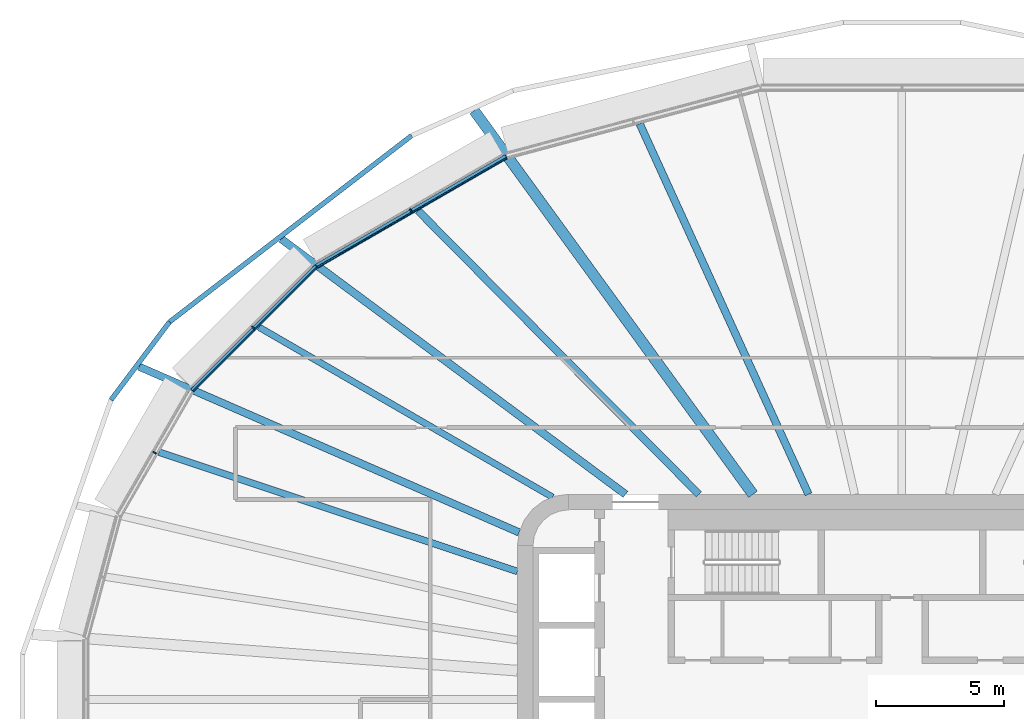
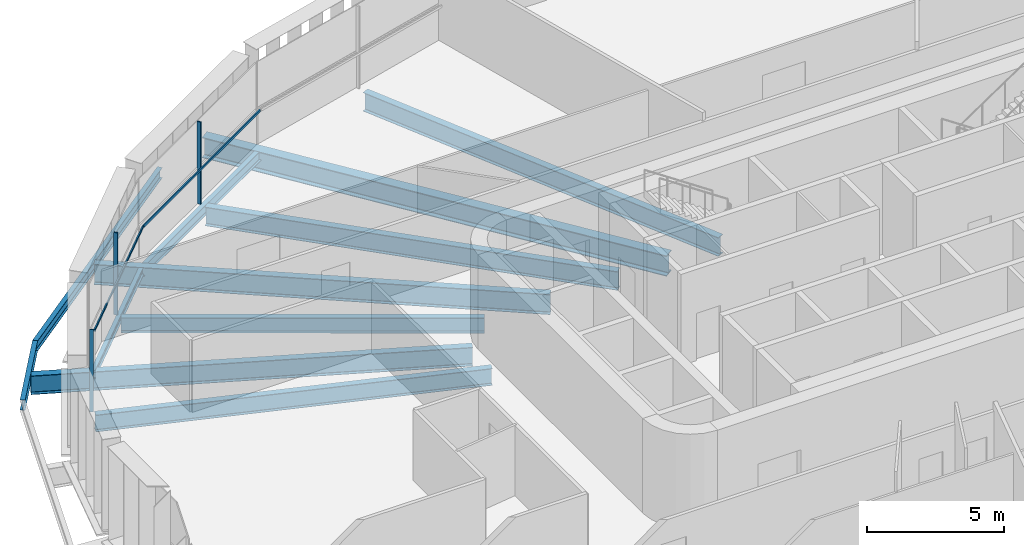
# One storey, part 7 of 25: 11 beams, 5 members, 3 elements without a shape of their own.
"""IFC4 building model written with IfcOpenShell, lengths in metres."""

from ifc_helpers import new_model, si_unit, direction, frame, origin, origin_2d, place, context, subcontext, project, spatial, rectangle, i_section, extrude, material, layer, layer_set, material_profile, profile_set, type_object, element, aggregate, save


model = new_model("IFC4")

# Units and contexts
model_context = context("Model", 3, precision=1e-05, world=origin(), true_north=direction((0.0, 1.0)))
body_context = subcontext(model_context, "Body", "Model", "MODEL_VIEW")
ifc_project = project(units=[si_unit("LENGTHUNIT", "METRE"), si_unit("AREAUNIT", "SQUARE_METRE"), si_unit("VOLUMEUNIT", "CUBIC_METRE"), si_unit("PLANEANGLEUNIT", "RADIAN"), si_unit("MASSUNIT", "GRAM", prefix="KILO")], contexts=[model_context])

# Site, building, storey
site_placement = place(None, origin())
site = spatial("IfcSite", under=ifc_project, at=site_placement, CompositionType="ELEMENT")
building_placement = place(site_placement, origin())
building = spatial("IfcBuilding", under=site, at=building_placement, Name="Sahrelin Media Tower", CompositionType="ELEMENT")
storey_placement = place(building_placement, frame((0.0, 0.0, 110.39990234375)))
storey = spatial("IfcBuildingStorey", under=building, at=storey_placement, Name="L21", CompositionType="ELEMENT", Elevation=110.39990234375)

# Beams
ifc_material_1 = material(Name="Steel S355", Category="steel")
ifc_material_profile_1 = material_profile(ifc_material_1, i_section(OverallWidth=0.17138671875, OverallDepth=0.35498046875, WebThickness=0.00732421875, FlangeThickness=0.011474609375, FilletRadius=0.01025390625, at=origin_2d()), Name="UB 356x171x51")
ifc_profile_set_1 = profile_set([ifc_material_profile_1], Name="Steel S355")
beam_type_1 = type_object("IfcBeamType", Name="Edge beam EB3", PredefinedType="BEAM", material=ifc_profile_set_1)
beam_1_placement = place(storey_placement, frame((-27.68115234375, 12.048583984375, -0.327392578125), z_axis=(0.707124646667, 0.707088915255, 0.0), x_axis=(-0.707088915255, 0.707124646667, 0.0)))
element("IfcBeam", 1, at=beam_1_placement, inside=storey, type_object=beam_type_1, Name="Edge beam L21-16", PredefinedType="BEAM", context=body_context, shape_type="SweptSolid", body=[
    extrude(i_section(OverallWidth=0.17138671875, OverallDepth=0.35498046875, WebThickness=0.00732421875, FlangeThickness=0.011474609375, FilletRadius=0.01025390625, at=origin_2d()), origin(), (0.0, 0.0, 1.0), 6.832763671875),
])
ifc_material_profile_2 = material_profile(ifc_material_1, i_section(OverallWidth=0.1904296875, OverallDepth=0.45703125, WebThickness=0.009033203125, FlangeThickness=0.014404296875, FilletRadius=0.01025390625, at=origin_2d()), Name="UB 457x191x74")
ifc_profile_set_2 = profile_set([ifc_material_profile_2], Name="Steel S355")
beam_type_2 = type_object("IfcBeamType", Name="Edge beam EB5", PredefinedType="BEAM", material=ifc_profile_set_2)
beam_2_placement = place(storey_placement, frame((-22.82666015625, 16.8974609375, -0.37841796875), z_axis=(0.866017364183, 0.500013924739, 0.0), x_axis=(-0.500013924739, 0.866017364183, 0.0)))
element("IfcBeam", 2, at=beam_2_placement, inside=storey, type_object=beam_type_2, Name="Edge beam L21-17", PredefinedType="BEAM", context=body_context, shape_type="SweptSolid", body=[
    extrude(i_section(OverallWidth=0.1904296875, OverallDepth=0.45703125, WebThickness=0.009033203125, FlangeThickness=0.014404296875, FilletRadius=0.01025390625, at=origin_2d()), origin(), (0.0, 0.0, 1.0), 8.531494140625),
])

# Curtain wall, member
ifc_material_2 = material(Name="Champagne anodised aluminium 6063-T6", Category="aluminium")
ifc_layer = layer(ifc_material_2, 0.14990234375)
ifc_layer_set = layer_set([ifc_layer], Name="Tower ribbon curtain wall")
curtain_wall_type = type_object("IfcCurtainWallType", Name="Tower ribbon curtain wall", PredefinedType="NOTDEFINED", material=ifc_layer_set)
curtain_wall_1_placement = place(storey_placement, frame((-19.20751953125, 19.160400390625, 0.0), z_axis=(0.0, 0.0, 1.0), x_axis=(1.0, 0.0, 0.0)))
curtain_wall_1 = element("IfcCurtainWall", 3, at=curtain_wall_1_placement, inside=storey, type_object=curtain_wall_type, Name="L21:CW:L21-08", PredefinedType="NOTDEFINED")
ifc_material_profile_3 = material_profile(ifc_material_2, rectangle(XDim=0.06005859375, YDim=0.14990234375, at=origin_2d()), Name="Mullion 60x150")
ifc_profile_set_3 = profile_set([ifc_material_profile_3], Name="Champagne anodised aluminium 6063-T6")
member_type_1 = type_object("IfcMemberType", Name="Mullion 60x150 CW1", PredefinedType="MULLION", material=ifc_profile_set_3)
member_1_placement = place(storey_placement, frame((-19.159912109375, 19.077880859375, 0.0), z_axis=(0.0, 0.0, 1.0), x_axis=(-0.866024531118, -0.500001511499, 0.0)))
member_1 = element("IfcMember", 4, at=member_1_placement, type_object=member_type_1, Name="L21:CWM:L21-08", PredefinedType="MULLION", context=body_context, shape_type="SweptSolid", body=[
    extrude(rectangle(XDim=0.06005859375, YDim=0.14990234375, at=origin_2d()), origin(), (0.0, 0.0, 1.0), 3.648681640625),
])

curtain_wall_2_placement = place(storey_placement, frame((-25.371337890625, 14.5703125, 0.0), z_axis=(0.0, 0.0, 1.0), x_axis=(1.0, 0.0, 0.0)))
curtain_wall_2 = element("IfcCurtainWall", 5, at=curtain_wall_2_placement, inside=storey, type_object=curtain_wall_type, Name="L21:CW:L21-09", PredefinedType="NOTDEFINED")
member_2_placement = place(storey_placement, frame((-25.30419921875, 14.503173828125, 0.0), z_axis=(0.0, 0.0, 1.0), x_axis=(-0.707106781187, -0.707106781187, 0.0)))
member_2 = element("IfcMember", 6, at=member_2_placement, type_object=member_type_1, Name="L21:CWM:L21-09", PredefinedType="MULLION", context=body_context, shape_type="SweptSolid", body=[
    extrude(rectangle(XDim=0.06005859375, YDim=0.14990234375, at=origin_2d()), origin(), (0.0, 0.0, 1.0), 3.648681640625),
])

curtain_wall_3_placement = place(storey_placement, frame((-29.231689453125, 9.67041015625, 0.0), z_axis=(0.0, 0.0, 1.0), x_axis=(1.0, 0.0, 0.0)))
curtain_wall_3 = element("IfcCurtainWall", 7, at=curtain_wall_3_placement, inside=storey, type_object=curtain_wall_type, Name="L21:CW:L21-10", PredefinedType="NOTDEFINED")
member_3_placement = place(storey_placement, frame((-29.1494140625, 9.622802734375, 0.0), z_axis=(0.0, 0.0, 1.0), x_axis=(-0.500004534492, -0.866022785779, 0.0)))
member_3 = element("IfcMember", 8, at=member_3_placement, type_object=member_type_1, Name="L21:CWM:L21-10", PredefinedType="MULLION", context=body_context, shape_type="SweptSolid", body=[
    extrude(rectangle(XDim=0.06005859375, YDim=0.14990234375, at=origin_2d()), origin(), (0.0, 0.0, 1.0), 3.648681640625),
])
aggregate(curtain_wall_3, [member_3])

# Beams
ifc_material_profile_4 = material_profile(ifc_material_1, i_section(OverallWidth=0.291748046875, OverallDepth=0.8349609375, WebThickness=0.013916015625, FlangeThickness=0.018798828125, FilletRadius=0.017822265625, at=origin_2d()), Name="UB 838x292x176")
ifc_profile_set_4 = profile_set([ifc_material_profile_4], Name="Steel S355")
beam_type_3 = type_object("IfcBeamType", Name="Radial primary beam PB10", PredefinedType="BEAM", material=ifc_profile_set_4)
beam_3_placement = place(storey_placement, frame((-14.9326171875, 6.512939453125, -0.5673828125), z_axis=(-0.91660394376, 0.39979646107, 0.0), x_axis=(-0.39979646107, -0.91660394376, 0.0)))
element("IfcBeam", 9, at=beam_3_placement, inside=storey, type_object=beam_type_3, Name="Radial beam L21-10", PredefinedType="BEAM", context=body_context, shape_type="SweptSolid", body=[
    extrude(i_section(OverallWidth=0.291748046875, OverallDepth=0.8349609375, WebThickness=0.013916015625, FlangeThickness=0.018798828125, FilletRadius=0.017822265625, at=origin_2d()), origin(), (0.0, 0.0, 1.0), 16.176513671875),
])
ifc_material_profile_5 = material_profile(ifc_material_1, i_section(OverallWidth=0.30322265625, OverallDepth=0.903076171875, WebThickness=0.01513671875, FlangeThickness=0.020263671875, FilletRadius=0.01904296875, at=origin_2d()), Name="UB 914x305x201")
ifc_profile_set_5 = profile_set([ifc_material_profile_5], Name="Steel S355")
beam_type_4 = type_object("IfcBeamType", Name="Radial primary beam PB11", PredefinedType="BEAM", material=ifc_profile_set_5)
beam_4_placement = place(storey_placement, frame((-10.78466796875, 8.0, -0.601318359375), z_axis=(-0.803152128679, 0.595773999263, 0.0), x_axis=(-0.595773999263, -0.803152128679, 0.0)))
element("IfcBeam", 10, at=beam_4_placement, inside=storey, type_object=beam_type_4, Name="Radial beam L21-09", PredefinedType="BEAM", context=body_context, shape_type="SweptSolid", body=[
    extrude(i_section(OverallWidth=0.30322265625, OverallDepth=0.903076171875, WebThickness=0.01513671875, FlangeThickness=0.020263671875, FilletRadius=0.01904296875, at=origin_2d()), origin(), (0.0, 0.0, 1.0), 16.71728515625),
])
ifc_material_profile_6 = material_profile(ifc_material_1, i_section(OverallWidth=0.41845703125, OverallDepth=0.911865234375, WebThickness=0.019287109375, FlangeThickness=0.031982421875, FilletRadius=0.024169921875, at=origin_2d()), Name="UB 914x419x343")
ifc_profile_set_6 = profile_set([ifc_material_profile_6], Name="Steel S355")
beam_type_5 = type_object("IfcBeamType", Name="Radial primary beam PB12", PredefinedType="BEAM", material=ifc_profile_set_6)
beam_5_placement = place(storey_placement, frame((-5.8125, 8.0, -0.605712890625), z_axis=(-0.587808442144, 0.809000145454, 0.0), x_axis=(-0.809000145454, -0.587808442144, 0.0)))
element("IfcBeam", 11, at=beam_5_placement, inside=storey, type_object=beam_type_5, Name="Radial beam L21-08", PredefinedType="BEAM", context=body_context, shape_type="SweptSolid", body=[
    extrude(i_section(OverallWidth=0.41845703125, OverallDepth=0.911865234375, WebThickness=0.019287109375, FlangeThickness=0.031982421875, FilletRadius=0.024169921875, at=origin_2d()), origin(), (0.0, 0.0, 1.0), 18.505615234375),
])
ifc_material_profile_7 = material_profile(ifc_material_1, i_section(OverallWidth=0.291748046875, OverallDepth=0.8349609375, WebThickness=0.013916015625, FlangeThickness=0.018798828125, FilletRadius=0.017822265625, at=origin_2d()), Name="UB 838x292x176")
ifc_profile_set_7 = profile_set([ifc_material_profile_7], Name="Steel S355")
beam_type_6 = type_object("IfcBeamType", Name="Radial secondary beam SB10", PredefinedType="BEAM", material=ifc_profile_set_7)
beam_6_placement = place(storey_placement, frame((-3.64501953125, 8.0, -0.5673828125), z_axis=(-0.414626132753, 0.909991851633, 0.0), x_axis=(-0.909991851633, -0.414626132753, 0.0)))
element("IfcBeam", 12, at=beam_6_placement, inside=storey, type_object=beam_type_6, Name="Secondary beam L21-07", PredefinedType="BEAM", context=body_context, shape_type="SweptSolid", body=[
    extrude(i_section(OverallWidth=0.291748046875, OverallDepth=0.8349609375, WebThickness=0.013916015625, FlangeThickness=0.018798828125, FilletRadius=0.017822265625, at=origin_2d()), origin(), (0.0, 0.0, 1.0), 15.884033203125),
])
beam_7_placement = place(storey_placement, frame((-7.92138671875, 8.0, -0.5673828125), z_axis=(-0.703602310212, 0.7105939692, 0.0), x_axis=(-0.7105939692, -0.703602310212, 0.0)))
element("IfcBeam", 13, at=beam_7_placement, inside=storey, type_object=beam_type_6, Name="Secondary beam L21-08", PredefinedType="BEAM", context=body_context, shape_type="SweptSolid", body=[
    extrude(i_section(OverallWidth=0.291748046875, OverallDepth=0.8349609375, WebThickness=0.013916015625, FlangeThickness=0.018798828125, FilletRadius=0.017822265625, at=origin_2d()), origin(), (0.0, 0.0, 1.0), 15.57373046875),
])
ifc_material_profile_8 = material_profile(ifc_material_1, i_section(OverallWidth=0.2529296875, OverallDepth=0.677978515625, WebThickness=0.01171875, FlangeThickness=0.01611328125, FilletRadius=0.01513671875, at=origin_2d()), Name="UB 686x254x125")
ifc_profile_set_8 = profile_set([ifc_material_profile_8], Name="Steel S355")
beam_type_7 = type_object("IfcBeamType", Name="Radial secondary beam SB8", PredefinedType="BEAM", material=ifc_profile_set_8)
beam_8_placement = place(storey_placement, frame((-13.625, 7.887451171875, -0.48876953125), z_axis=(-0.865447741605, 0.500999208134, 0.0), x_axis=(-0.500999208134, -0.865447741605, 0.0)))
element("IfcBeam", 14, at=beam_8_placement, inside=storey, type_object=beam_type_7, Name="Secondary beam L21-09", PredefinedType="BEAM", context=body_context, shape_type="SweptSolid", body=[
    extrude(i_section(OverallWidth=0.2529296875, OverallDepth=0.677978515625, WebThickness=0.01171875, FlangeThickness=0.01611328125, FilletRadius=0.01513671875, at=origin_2d()), origin(), (0.0, 0.0, 1.0), 13.2431640625),
])
ifc_material_profile_9 = material_profile(ifc_material_1, i_section(OverallWidth=0.26513671875, OverallDepth=0.75390625, WebThickness=0.0126953125, FlangeThickness=0.017578125, FilletRadius=0.0166015625, at=origin_2d()), Name="UB 762x267x147")
ifc_profile_set_9 = profile_set([ifc_material_profile_9], Name="Steel S355")
beam_type_8 = type_object("IfcBeamType", Name="Radial secondary beam SB9", PredefinedType="BEAM", material=ifc_profile_set_9)
beam_9_placement = place(storey_placement, frame((-15.0, 4.989990234375, -0.52685546875), z_axis=(-0.948863762476, 0.31568585692, 0.0), x_axis=(-0.31568585692, -0.948863762476, 0.0)))
element("IfcBeam", 15, at=beam_9_placement, inside=storey, type_object=beam_type_8, Name="Secondary beam L21-10", PredefinedType="BEAM", context=body_context, shape_type="SweptSolid", body=[
    extrude(i_section(OverallWidth=0.26513671875, OverallDepth=0.75390625, WebThickness=0.0126953125, FlangeThickness=0.017578125, FilletRadius=0.0166015625, at=origin_2d()), origin(), (0.0, 0.0, 1.0), 14.7333984375),
])
ifc_material_profile_10 = material_profile(ifc_material_1, i_section(OverallWidth=0.1904296875, OverallDepth=0.45703125, WebThickness=0.009033203125, FlangeThickness=0.014404296875, FilletRadius=0.01025390625, at=origin_2d()), Name="UB 457x191x74")
ifc_profile_set_10 = profile_set([ifc_material_profile_10], Name="Steel S355")
beam_type_9 = type_object("IfcBeamType", Name="Tie chord TC5", PredefinedType="BEAM", material=ifc_profile_set_10)
beam_10_placement = place(storey_placement, frame((-19.12939453125, 21.9912109375, -0.37841796875), z_axis=(-0.792450278181, -0.60993651851, 0.0), x_axis=(0.60993651851, -0.792450278181, 0.0)))
element("IfcBeam", 16, at=beam_10_placement, inside=storey, type_object=beam_type_9, Name="Tie chord L21-09", PredefinedType="BEAM", context=body_context, shape_type="SweptSolid", body=[
    extrude(i_section(OverallWidth=0.1904296875, OverallDepth=0.45703125, WebThickness=0.009033203125, FlangeThickness=0.014404296875, FilletRadius=0.01025390625, at=origin_2d()), origin(), (0.0, 0.0, 1.0), 11.91455078125),
])
beam_11_placement = place(storey_placement, frame((-28.571044921875, 14.72412109375, -0.37841796875), z_axis=(-0.600051373024, -0.799961467654, 0.0), x_axis=(0.799961467654, -0.600051373024, 0.0)))
element("IfcBeam", 17, at=beam_11_placement, inside=storey, type_object=beam_type_9, Name="Tie chord L21-10", PredefinedType="BEAM", context=body_context, shape_type="SweptSolid", body=[
    extrude(i_section(OverallWidth=0.1904296875, OverallDepth=0.45703125, WebThickness=0.009033203125, FlangeThickness=0.014404296875, FilletRadius=0.01025390625, at=origin_2d()), origin(), (0.0, 0.0, 1.0), 3.8017578125),
])

# Member
ifc_material_profile_11 = material_profile(ifc_material_2, rectangle(XDim=0.050048828125, YDim=0.10009765625, at=origin_2d()), Name="Transom 50x100")
ifc_profile_set_11 = profile_set([ifc_material_profile_11], Name="Champagne anodised aluminium 6063-T6")
member_type_2 = type_object("IfcMemberType", Name="Transom 50x100 CW1", PredefinedType="USERDEFINED", material=ifc_profile_set_11)
member_4_placement = place(storey_placement, frame((-15.429443359375, 21.116455078125, 1.60009765625), z_axis=(-0.866021522889, -0.500006721848, 0.0), x_axis=(0.500006721848, -0.866021522889, 0.0)))
member_4 = element("IfcMember", 18, at=member_4_placement, type_object=member_type_2, Name="L21:CWT:L21-08", ObjectType="TRANSOM", PredefinedType="USERDEFINED", context=body_context, shape_type="SweptSolid", body=[
    extrude(rectangle(XDim=0.050048828125, YDim=0.10009765625, at=origin_2d()), origin(), (0.0, 0.0, 1.0), 8.5),
])

aggregate(curtain_wall_1, [member_1, member_4])

member_5_placement = place(storey_placement, frame((-22.828857421875, 16.837158203125, 1.60009765625), z_axis=(-0.707106781187, -0.707106781187, 0.0), x_axis=(0.707106781187, -0.707106781187, 0.0)))
member_5 = element("IfcMember", 19, at=member_5_placement, type_object=member_type_2, Name="L21:CWT:L21-09", ObjectType="TRANSOM", PredefinedType="USERDEFINED", context=body_context, shape_type="SweptSolid", body=[
    extrude(rectangle(XDim=0.050048828125, YDim=0.10009765625, at=origin_2d()), origin(), (0.0, 0.0, 1.0), 6.801513671875),
])

aggregate(curtain_wall_2, [member_2, member_5])

save(model, "model.ifc")
